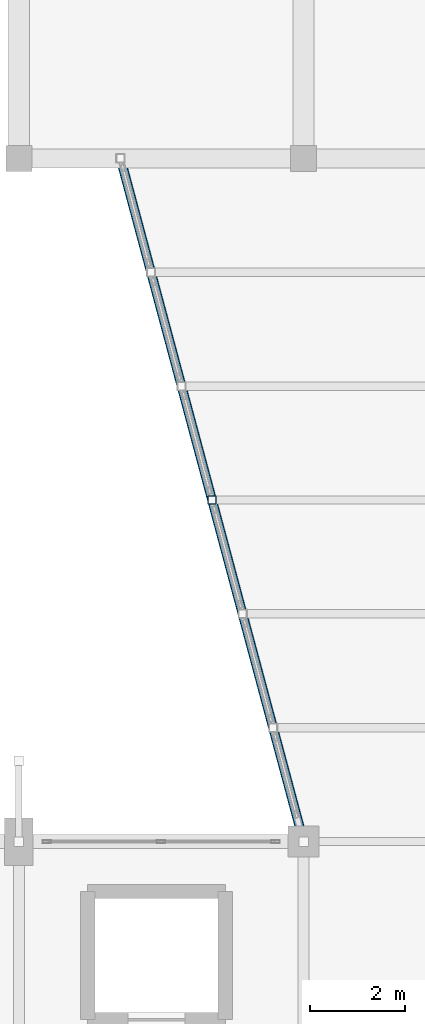
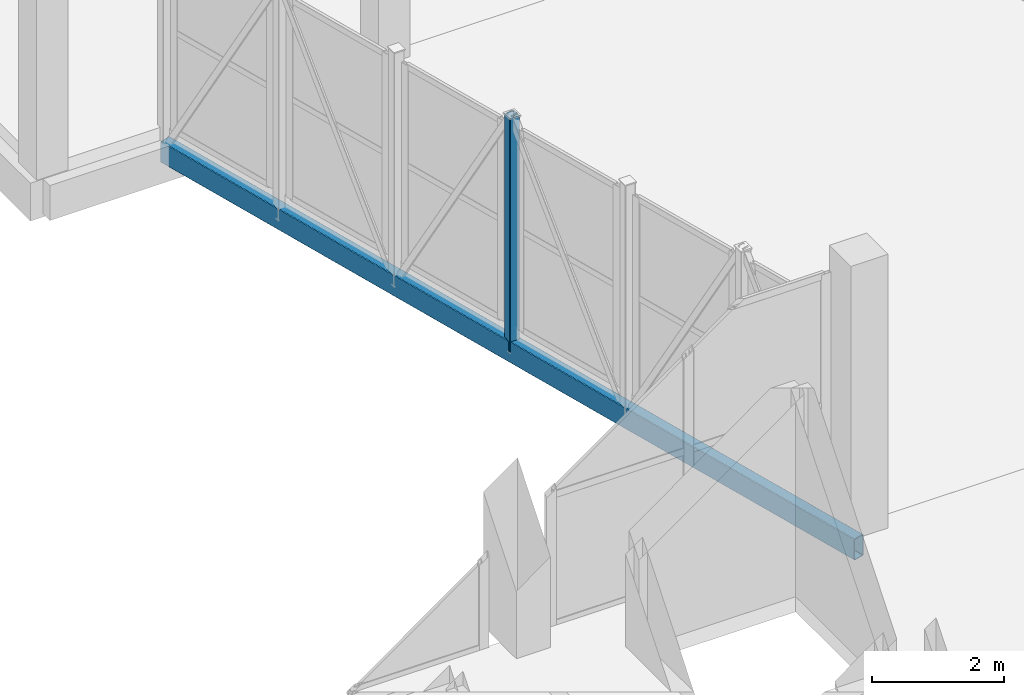
# One storey, part 41 of 127: 1 beam, 1 member.
"""IFC4 building model written with IfcOpenShell, lengths in metres."""

import ifcopenshell
import ifcopenshell.guid

model = None  # the IFC model being written
_history = None  # IfcOwnerHistory: only IFC2X3 demands one
_inside = {}  # id of a spatial element -> (the spatial element, [elements in it])
_under = {}  # id of a project, library or spatial element -> (it, [spatial elements below it])
_declared = {}  # id of a project -> (the project, [libraries it declares])
_typed = {}  # id of a type object -> (the type object, [elements of that type])
_made_of = {}  # id of a material, layer set ... -> (it, [elements and type objects made of it])


def new_model(schema):
    """Start an empty IFC model of exactly this schema.

    Asked for "IFC4X3", IfcOpenShell would pick the latest addendum, in which some entities
    have other attributes; the version numbers below select the first issue.
    IFC2X3 requires an IfcOwnerHistory on every rooted entity: one is made here for all.
    """
    global model, _history
    if schema == "IFC4X3":
        model = ifcopenshell.file(schema_version=(4, 3, 0, 0))
    else:
        model = ifcopenshell.file(schema=schema)
    _inside.clear()
    _under.clear()
    _declared.clear()
    _typed.clear()
    _made_of.clear()
    _history = None
    if model.schema == "IFC2X3":
        org = make("IfcOrganization", Name="unknown")
        user = make(
            "IfcPersonAndOrganization",
            ThePerson=make("IfcPerson", FamilyName="unknown"),
            TheOrganization=org,
        )
        app = make(
            "IfcApplication",
            ApplicationDeveloper=org,
            Version="unknown",
            ApplicationFullName="unknown",
            ApplicationIdentifier="unknown",
        )
        _history = make(
            "IfcOwnerHistory",
            OwningUser=user,
            OwningApplication=app,
            ChangeAction="ADDED",
            CreationDate=0,
        )
    return model


def make(cls, **values):
    """One entity of the class cls with the attributes given. An attribute that is None is left unset."""
    return model.create_entity(
        cls, **{name: value for name, value in values.items() if value is not None}
    )


def rooted(cls, **values):
    """An entity with a GlobalId (a new one), such as an element, a storey or a relation."""
    return make(cls, GlobalId=ifcopenshell.guid.new(), OwnerHistory=_history, **values)


def si_unit(unit_type, name, prefix=None):
    """IfcSIUnit, for example si_unit("LENGTHUNIT", "METRE", prefix="MILLI")."""
    return make("IfcSIUnit", UnitType=unit_type, Prefix=prefix, Name=name)


def assignment(units):
    """IfcUnitAssignment: the units of a project."""
    return None if units is None else make("IfcUnitAssignment", Units=units)


def point(xyz):
    """IfcCartesianPoint."""
    return None if xyz is None else make("IfcCartesianPoint", Coordinates=xyz)


def direction(xyz):
    """IfcDirection."""
    return None if xyz is None else make("IfcDirection", DirectionRatios=xyz)


def frame(location, z_axis=None, x_axis=None):
    """IfcAxis2Placement3D, a coordinate frame: its origin and axes. An axis left out is left unset."""
    return make(
        "IfcAxis2Placement3D",
        Location=point(location),
        Axis=direction(z_axis),
        RefDirection=direction(x_axis),
    )


def frame_2d(location, x_axis=None):
    """IfcAxis2Placement2D, a coordinate frame in the plane: its origin and x axis."""
    return make(
        "IfcAxis2Placement2D", Location=point(location), RefDirection=direction(x_axis)
    )


def origin():
    """The frame at (0, 0, 0) with its axes left unset."""
    return frame((0.0, 0.0, 0.0))


def origin_2d():
    """The frame at (0, 0) in the plane with its x axis left unset."""
    return frame_2d((0.0, 0.0))


def place(relative_to, where):
    """IfcLocalPlacement: puts the frame where relative to a parent placement (None: the world)."""
    return make(
        "IfcLocalPlacement", PlacementRelTo=relative_to, RelativePlacement=where
    )


def context(
    kind, dimensions, precision=None, world=None, true_north=None, identifier=None
):
    """IfcGeometricRepresentationContext, for example the 3D "Model" context."""
    return make(
        "IfcGeometricRepresentationContext",
        ContextIdentifier=identifier,
        ContextType=kind,
        CoordinateSpaceDimension=dimensions,
        Precision=precision,
        WorldCoordinateSystem=world,
        TrueNorth=true_north,
    )


def subcontext(parent, identifier, kind, view, scale=None):
    """IfcGeometricRepresentationSubContext, for example "Body" below "Model"."""
    return make(
        "IfcGeometricRepresentationSubContext",
        ContextIdentifier=identifier,
        ContextType=kind,
        ParentContext=parent,
        TargetScale=scale,
        TargetView=view,
    )


def project(units=None, contexts=None):
    """IfcProject with its units and contexts."""
    return rooted(
        "IfcProject",
        Name="project",
        RepresentationContexts=contexts,
        UnitsInContext=assignment(units),
    )


def spatial(cls, under=None, at=None, **own):
    """A site, building, storey or space (cls), placed at a placement, below another one or the project."""
    s = rooted(cls, ObjectPlacement=at, **own)
    if under is not None:
        _under.setdefault(under.id(), (under, []))[1].append(s)
    return s


def profile(cls, at=None, kind="AREA", **sizes):
    """A parametric profile (cls). Its sizes go by their IFC names, for example OverallWidth=200.0."""
    return make(cls, ProfileType=kind, Position=at, **sizes)


def hollow_rectangle(**sizes):
    """IfcRectangleHollowProfileDef."""
    return profile("IfcRectangleHollowProfileDef", **sizes)


def extrude(swept, where, along, depth):
    """IfcExtrudedAreaSolid: the profile swept, set in the frame where, extruded along a direction by depth."""
    return make(
        "IfcExtrudedAreaSolid",
        SweptArea=swept,
        Position=where,
        ExtrudedDirection=direction(along),
        Depth=depth,
    )


def shape(context_of_items, identifier, shape_type, items):
    """IfcShapeRepresentation: the items that make up one representation, for example the "Body"."""
    return make(
        "IfcShapeRepresentation",
        ContextOfItems=context_of_items,
        RepresentationIdentifier=identifier,
        RepresentationType=shape_type,
        Items=items,
    )


def material(Name=None, Category=None):
    """IfcMaterial."""
    return make("IfcMaterial", Name=Name, Category=Category)


def material_profile(
    of_material, cross_section, Name=None, Category=None, Priority=None
):
    """IfcMaterialProfile: a cross section and its material."""
    return make(
        "IfcMaterialProfile",
        Name=Name,
        Material=of_material,
        Profile=cross_section,
        Priority=Priority,
        Category=Category,
    )


def profile_set(profiles, Name=None, composite=None):
    """IfcMaterialProfileSet."""
    return make(
        "IfcMaterialProfileSet",
        Name=Name,
        MaterialProfiles=profiles,
        CompositeProfile=composite,
    )


def made_of(thing, what):
    """Note that an element or type object is made of a material, layer set ...; save() writes the relation."""
    if what is not None:
        _made_of.setdefault(what.id(), (what, []))[1].append(thing)
    return thing


def type_object(cls, material=None, **own):
    """A type object (cls), such as IfcWallType, which elements share."""
    return made_of(rooted(cls, **own), material)


def element(
    cls,
    number,
    at=None,
    inside=None,
    cuts=None,
    type_object=None,
    material=None,
    context=None,
    identifier="Body",
    shape_type=None,
    held_by="IfcProductDefinitionShape",
    body=None,
    shapes=None,
    **own,
):
    """One element of the class cls, such as IfcWall. Its Tag is "e" and its number.

    at: its placement. inside: the storey or other place that contains it. cuts: it is an
    opening in that element (IfcRelVoidsElement). A single representation is given by context,
    identifier, shape_type and body (its items); several are given by shapes. held_by: the class
    of the entity that holds the representations. save() writes the other relations.
    """
    e = rooted(cls, Tag="e%d" % number, ObjectPlacement=at, **own)
    if body is not None:
        shapes = [shape(context, identifier, shape_type, body)]
    if shapes is not None:
        e.Representation = make(held_by, Representations=shapes)
    if inside is not None:
        _inside.setdefault(inside.id(), (inside, []))[1].append(e)
    if cuts is not None:
        rooted(
            "IfcRelVoidsElement", RelatingBuildingElement=cuts, RelatedOpeningElement=e
        )
    if type_object is not None:
        _typed.setdefault(type_object.id(), (type_object, []))[1].append(e)
    return made_of(e, material)


def aggregate(whole, parts):
    """IfcRelAggregates: a whole, such as a stair, and the parts it consists of."""
    return rooted("IfcRelAggregates", RelatingObject=whole, RelatedObjects=parts)


def save(model, path):
    """Write the relations noted so far, then the file.

    IfcRelAggregates (storeys below a building ...), IfcRelContainedInSpatialStructure (elements
    in a storey), IfcRelDefinesByType, IfcRelAssociatesMaterial and IfcRelDeclares: one each for
    every whole, place, type object, material and project.
    """
    for whole, parts in _under.values():
        aggregate(whole, parts)
    for where, things in _inside.values():
        rooted(
            "IfcRelContainedInSpatialStructure",
            RelatedElements=things,
            RelatingStructure=where,
        )
    for kind, things in _typed.values():
        rooted("IfcRelDefinesByType", RelatedObjects=things, RelatingType=kind)
    for what, things in _made_of.values():
        rooted("IfcRelAssociatesMaterial", RelatedObjects=things, RelatingMaterial=what)
    for by, libraries in _declared.values():
        rooted("IfcRelDeclares", RelatingContext=by, RelatedDefinitions=libraries)
    model.write(path)


model = new_model("IFC4")

# Units and contexts
model_context = context("Model", 3, precision=1e-05, world=origin(), true_north=direction((0.0, 1.0)))
body_context = subcontext(model_context, "Body", "Model", "MODEL_VIEW")
ifc_project = project(units=[si_unit("LENGTHUNIT", "METRE"), si_unit("AREAUNIT", "SQUARE_METRE"), si_unit("VOLUMEUNIT", "CUBIC_METRE"), si_unit("PLANEANGLEUNIT", "RADIAN"), si_unit("MASSUNIT", "GRAM", prefix="KILO")], contexts=[model_context])

# Site, building, storey
site_placement = place(None, origin())
site = spatial("IfcSite", under=ifc_project, at=site_placement, CompositionType="ELEMENT")
building_placement = place(site_placement, origin())
building = spatial("IfcBuilding", under=site, at=building_placement, Name="Dunvalen Ferry Terminal", CompositionType="ELEMENT")
storey_placement = place(building_placement, frame((0.0, 0.0, 5.760009765625)))
storey = spatial("IfcBuildingStorey", under=building, at=storey_placement, Name="L01", CompositionType="ELEMENT", Elevation=5.760009765625)

# Beam
ifc_material = material(Name="Steel S355", Category="steel")
ifc_material_profile_1 = material_profile(ifc_material, hollow_rectangle(XDim=0.199951171875, YDim=0.39990234375, WallThickness=0.012451171875, InnerFilletRadius=0.012451171875, OuterFilletRadius=0.02490234375, at=origin_2d()), Name="Steel S355")
ifc_profile_set_1 = profile_set([ifc_material_profile_1], Name="Steel S355")
beam_type = type_object("IfcBeamType", Name="STR-BM-RHS400", PredefinedType="BEAM", material=ifc_profile_set_1)
beam_placement = place(storey_placement, frame((30.0, 86.39990234375, -0.43994140625), z_axis=(-0.258812211902, 0.965927657214, 0.0), x_axis=(-0.965927657214, -0.258812211902, 0.0)))
element("IfcBeam", 1, at=beam_placement, inside=storey, type_object=beam_type, Name="Boarding Bridge 1 Warren Bottom Chord 1", PredefinedType="BEAM", context=body_context, shape_type="SweptSolid", body=[
    extrude(hollow_rectangle(XDim=0.199951171875, YDim=0.39990234375, WallThickness=0.012451171875, InnerFilletRadius=0.012451171875, OuterFilletRadius=0.02490234375, at=origin_2d()), origin(), (0.0, 0.0, 1.0), 14.908203125),
])

# Member
ifc_material_profile_2 = material_profile(ifc_material, hollow_rectangle(XDim=0.179931640625, YDim=0.179931640625, WallThickness=0.008056640625, InnerFilletRadius=0.008056640625, OuterFilletRadius=0.01611328125, at=origin_2d()), Name="Steel S355")
ifc_profile_set_2 = profile_set([ifc_material_profile_2], Name="Steel S355")
member_type = type_object("IfcMemberType", Name="STR-MB-SHS180", PredefinedType="STRUT", material=ifc_profile_set_2)
member_placement = place(storey_placement, frame((28.07080078125, 93.60009765625, -0.43994140625), z_axis=(0.0, 0.0, 1.0), x_axis=(1.0, 0.0, 0.0)))
element("IfcMember", 2, at=member_placement, inside=storey, type_object=member_type, Name="Boarding Bridge 1 Truss Post 1.3", PredefinedType="STRUT", context=body_context, shape_type="SweptSolid", body=[
    extrude(hollow_rectangle(XDim=0.179931640625, YDim=0.179931640625, WallThickness=0.008056640625, InnerFilletRadius=0.008056640625, OuterFilletRadius=0.01611328125, at=origin_2d()), origin(), (0.0, 0.0, 1.0), 4.33984375),
])

save(model, "model.ifc")
